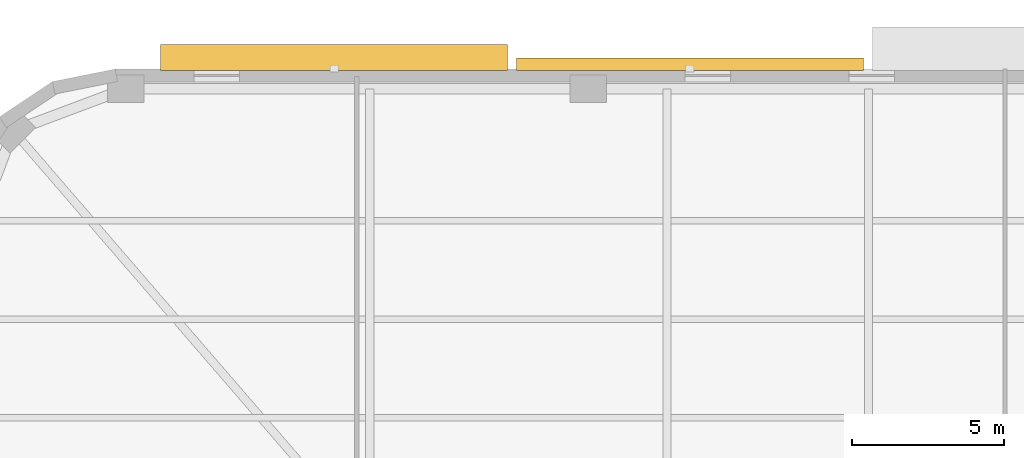
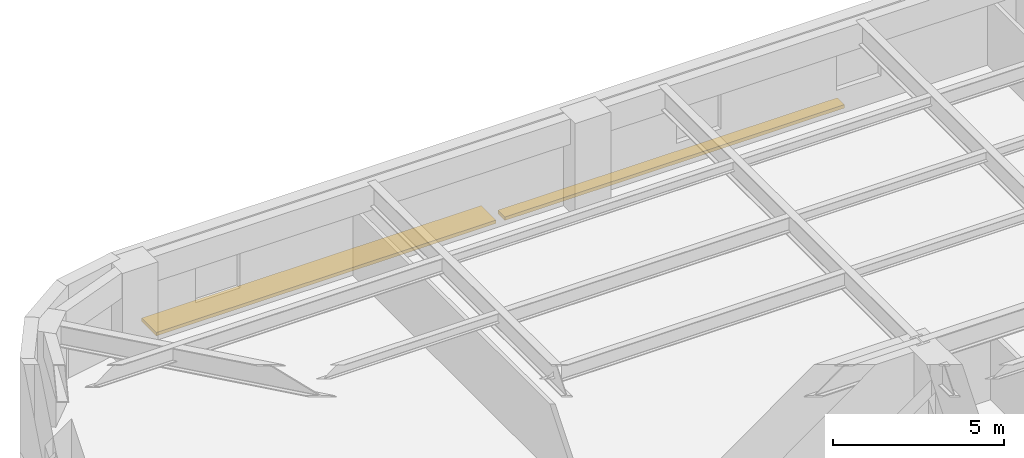
# One storey, part 12 of 14: 2 shading devices.
"""IFC4 building model written with IfcOpenShell, lengths in metres."""

import ifcopenshell
import ifcopenshell.guid

model = None  # the IFC model being written
_history = None  # IfcOwnerHistory: only IFC2X3 demands one
_inside = {}  # id of a spatial element -> (the spatial element, [elements in it])
_under = {}  # id of a project, library or spatial element -> (it, [spatial elements below it])
_declared = {}  # id of a project -> (the project, [libraries it declares])
_typed = {}  # id of a type object -> (the type object, [elements of that type])
_made_of = {}  # id of a material, layer set ... -> (it, [elements and type objects made of it])


def new_model(schema):
    """Start an empty IFC model of exactly this schema.

    Asked for "IFC4X3", IfcOpenShell would pick the latest addendum, in which some entities
    have other attributes; the version numbers below select the first issue.
    IFC2X3 requires an IfcOwnerHistory on every rooted entity: one is made here for all.
    """
    global model, _history
    if schema == "IFC4X3":
        model = ifcopenshell.file(schema_version=(4, 3, 0, 0))
    else:
        model = ifcopenshell.file(schema=schema)
    _inside.clear()
    _under.clear()
    _declared.clear()
    _typed.clear()
    _made_of.clear()
    _history = None
    if model.schema == "IFC2X3":
        org = make("IfcOrganization", Name="unknown")
        user = make(
            "IfcPersonAndOrganization",
            ThePerson=make("IfcPerson", FamilyName="unknown"),
            TheOrganization=org,
        )
        app = make(
            "IfcApplication",
            ApplicationDeveloper=org,
            Version="unknown",
            ApplicationFullName="unknown",
            ApplicationIdentifier="unknown",
        )
        _history = make(
            "IfcOwnerHistory",
            OwningUser=user,
            OwningApplication=app,
            ChangeAction="ADDED",
            CreationDate=0,
        )
    return model


def make(cls, **values):
    """One entity of the class cls with the attributes given. An attribute that is None is left unset."""
    return model.create_entity(
        cls, **{name: value for name, value in values.items() if value is not None}
    )


def rooted(cls, **values):
    """An entity with a GlobalId (a new one), such as an element, a storey or a relation."""
    return make(cls, GlobalId=ifcopenshell.guid.new(), OwnerHistory=_history, **values)


def si_unit(unit_type, name, prefix=None):
    """IfcSIUnit, for example si_unit("LENGTHUNIT", "METRE", prefix="MILLI")."""
    return make("IfcSIUnit", UnitType=unit_type, Prefix=prefix, Name=name)


def assignment(units):
    """IfcUnitAssignment: the units of a project."""
    return None if units is None else make("IfcUnitAssignment", Units=units)


def point(xyz):
    """IfcCartesianPoint."""
    return None if xyz is None else make("IfcCartesianPoint", Coordinates=xyz)


def direction(xyz):
    """IfcDirection."""
    return None if xyz is None else make("IfcDirection", DirectionRatios=xyz)


def frame(location, z_axis=None, x_axis=None):
    """IfcAxis2Placement3D, a coordinate frame: its origin and axes. An axis left out is left unset."""
    return make(
        "IfcAxis2Placement3D",
        Location=point(location),
        Axis=direction(z_axis),
        RefDirection=direction(x_axis),
    )


def frame_2d(location, x_axis=None):
    """IfcAxis2Placement2D, a coordinate frame in the plane: its origin and x axis."""
    return make(
        "IfcAxis2Placement2D", Location=point(location), RefDirection=direction(x_axis)
    )


def origin():
    """The frame at (0, 0, 0) with its axes left unset."""
    return frame((0.0, 0.0, 0.0))


def origin_2d():
    """The frame at (0, 0) in the plane with its x axis left unset."""
    return frame_2d((0.0, 0.0))


def place(relative_to, where):
    """IfcLocalPlacement: puts the frame where relative to a parent placement (None: the world)."""
    return make(
        "IfcLocalPlacement", PlacementRelTo=relative_to, RelativePlacement=where
    )


def context(
    kind, dimensions, precision=None, world=None, true_north=None, identifier=None
):
    """IfcGeometricRepresentationContext, for example the 3D "Model" context."""
    return make(
        "IfcGeometricRepresentationContext",
        ContextIdentifier=identifier,
        ContextType=kind,
        CoordinateSpaceDimension=dimensions,
        Precision=precision,
        WorldCoordinateSystem=world,
        TrueNorth=true_north,
    )


def subcontext(parent, identifier, kind, view, scale=None):
    """IfcGeometricRepresentationSubContext, for example "Body" below "Model"."""
    return make(
        "IfcGeometricRepresentationSubContext",
        ContextIdentifier=identifier,
        ContextType=kind,
        ParentContext=parent,
        TargetScale=scale,
        TargetView=view,
    )


def project(units=None, contexts=None):
    """IfcProject with its units and contexts."""
    return rooted(
        "IfcProject",
        Name="project",
        RepresentationContexts=contexts,
        UnitsInContext=assignment(units),
    )


def spatial(cls, under=None, at=None, **own):
    """A site, building, storey or space (cls), placed at a placement, below another one or the project."""
    s = rooted(cls, ObjectPlacement=at, **own)
    if under is not None:
        _under.setdefault(under.id(), (under, []))[1].append(s)
    return s


def profile(cls, at=None, kind="AREA", **sizes):
    """A parametric profile (cls). Its sizes go by their IFC names, for example OverallWidth=200.0."""
    return make(cls, ProfileType=kind, Position=at, **sizes)


def rectangle(**sizes):
    """IfcRectangleProfileDef."""
    return profile("IfcRectangleProfileDef", **sizes)


def extrude(swept, where, along, depth):
    """IfcExtrudedAreaSolid: the profile swept, set in the frame where, extruded along a direction by depth."""
    return make(
        "IfcExtrudedAreaSolid",
        SweptArea=swept,
        Position=where,
        ExtrudedDirection=direction(along),
        Depth=depth,
    )


def shape(context_of_items, identifier, shape_type, items):
    """IfcShapeRepresentation: the items that make up one representation, for example the "Body"."""
    return make(
        "IfcShapeRepresentation",
        ContextOfItems=context_of_items,
        RepresentationIdentifier=identifier,
        RepresentationType=shape_type,
        Items=items,
    )


def material(Name=None, Category=None):
    """IfcMaterial."""
    return make("IfcMaterial", Name=Name, Category=Category)


def made_of(thing, what):
    """Note that an element or type object is made of a material, layer set ...; save() writes the relation."""
    if what is not None:
        _made_of.setdefault(what.id(), (what, []))[1].append(thing)
    return thing


def type_object(cls, material=None, **own):
    """A type object (cls), such as IfcWallType, which elements share."""
    return made_of(rooted(cls, **own), material)


def element(
    cls,
    number,
    at=None,
    inside=None,
    cuts=None,
    type_object=None,
    material=None,
    context=None,
    identifier="Body",
    shape_type=None,
    held_by="IfcProductDefinitionShape",
    body=None,
    shapes=None,
    **own,
):
    """One element of the class cls, such as IfcWall. Its Tag is "e" and its number.

    at: its placement. inside: the storey or other place that contains it. cuts: it is an
    opening in that element (IfcRelVoidsElement). A single representation is given by context,
    identifier, shape_type and body (its items); several are given by shapes. held_by: the class
    of the entity that holds the representations. save() writes the other relations.
    """
    e = rooted(cls, Tag="e%d" % number, ObjectPlacement=at, **own)
    if body is not None:
        shapes = [shape(context, identifier, shape_type, body)]
    if shapes is not None:
        e.Representation = make(held_by, Representations=shapes)
    if inside is not None:
        _inside.setdefault(inside.id(), (inside, []))[1].append(e)
    if cuts is not None:
        rooted(
            "IfcRelVoidsElement", RelatingBuildingElement=cuts, RelatedOpeningElement=e
        )
    if type_object is not None:
        _typed.setdefault(type_object.id(), (type_object, []))[1].append(e)
    return made_of(e, material)


def aggregate(whole, parts):
    """IfcRelAggregates: a whole, such as a stair, and the parts it consists of."""
    return rooted("IfcRelAggregates", RelatingObject=whole, RelatedObjects=parts)


def save(model, path):
    """Write the relations noted so far, then the file.

    IfcRelAggregates (storeys below a building ...), IfcRelContainedInSpatialStructure (elements
    in a storey), IfcRelDefinesByType, IfcRelAssociatesMaterial and IfcRelDeclares: one each for
    every whole, place, type object, material and project.
    """
    for whole, parts in _under.values():
        aggregate(whole, parts)
    for where, things in _inside.values():
        rooted(
            "IfcRelContainedInSpatialStructure",
            RelatedElements=things,
            RelatingStructure=where,
        )
    for kind, things in _typed.values():
        rooted("IfcRelDefinesByType", RelatedObjects=things, RelatingType=kind)
    for what, things in _made_of.values():
        rooted("IfcRelAssociatesMaterial", RelatedObjects=things, RelatingMaterial=what)
    for by, libraries in _declared.values():
        rooted("IfcRelDeclares", RelatingContext=by, RelatedDefinitions=libraries)
    model.write(path)


model = new_model("IFC4")

# Units and contexts
model_context = context("Model", 3, precision=1e-05, world=origin(), true_north=direction((0.0, 1.0)))
body_context = subcontext(model_context, "Body", "Model", "MODEL_VIEW")
ifc_project = project(units=[si_unit("LENGTHUNIT", "METRE"), si_unit("AREAUNIT", "SQUARE_METRE"), si_unit("VOLUMEUNIT", "CUBIC_METRE"), si_unit("PLANEANGLEUNIT", "RADIAN"), si_unit("MASSUNIT", "GRAM", prefix="KILO")], contexts=[model_context])

# Site, building, storey
site_placement = place(None, origin())
site = spatial("IfcSite", under=ifc_project, at=site_placement, CompositionType="ELEMENT")
building_placement = place(site_placement, origin())
building = spatial("IfcBuilding", under=site, at=building_placement, Name="Kolvaren Arena Tower", CompositionType="ELEMENT")
storey_placement = place(building_placement, frame((0.0, 0.0, 90.75)))
storey = spatial("IfcBuildingStorey", under=building, at=storey_placement, Name="L20", CompositionType="ELEMENT", Elevation=90.75)

# Shading devices
ifc_material = material(Name="Architectural precast GFRC and anodised aluminium sunshade", Category="concrete")
shading_device_type = type_object("IfcShadingDeviceType", Name="SHAD-SINE-A", PredefinedType="USERDEFINED", material=ifc_material)
shading_device_1_placement = place(storey_placement, frame((13.3701171875, 49.878173828125, -0.14013671875), z_axis=(0.0, 0.0, 1.0), x_axis=(1.0, 0.0, 0.0)))
element("IfcShadingDevice", 1, at=shading_device_1_placement, inside=storey, type_object=shading_device_type, Name="Sinusoidal Slab-Edge Sunshade Louvre (L20)", ObjectType="LOUVRE", PredefinedType="USERDEFINED", context=body_context, shape_type="SweptSolid", body=[
    extrude(rectangle(XDim=11.43994140625, YDim=0.8564453125, at=origin_2d()), origin(), (0.0, 0.0, 1.0), 0.1201171875),
])
shading_device_2_placement = place(storey_placement, frame((25.110107421875, 49.65478515625, -0.14013671875), z_axis=(0.0, 0.0, 1.0), x_axis=(1.0, 0.0, 0.0)))
element("IfcShadingDevice", 2, at=shading_device_2_placement, inside=storey, type_object=shading_device_type, Name="Sinusoidal Slab-Edge Sunshade Louvre (L20)", ObjectType="LOUVRE", PredefinedType="USERDEFINED", context=body_context, shape_type="SweptSolid", body=[
    extrude(rectangle(XDim=11.43994140625, YDim=0.40966796875, at=origin_2d()), origin(), (0.0, 0.0, 1.0), 0.1201171875),
])

save(model, "model.ifc")
